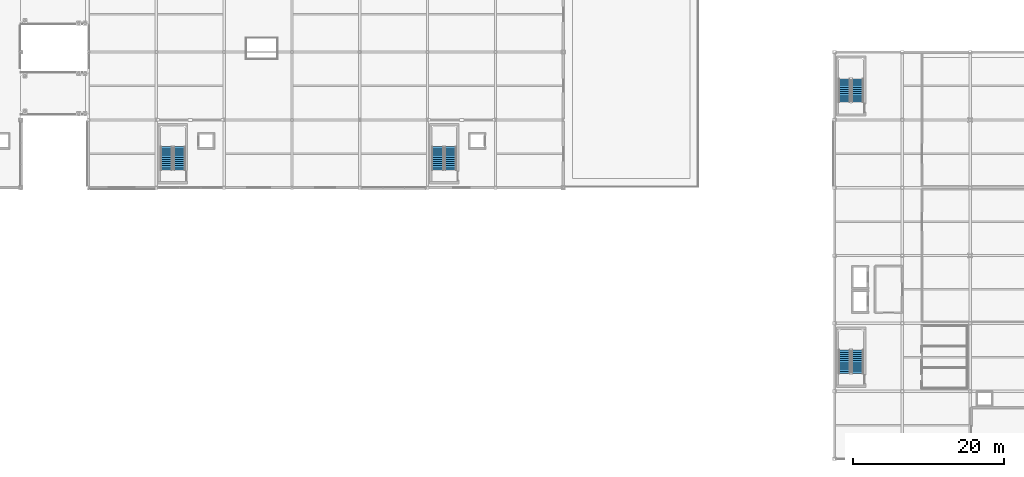
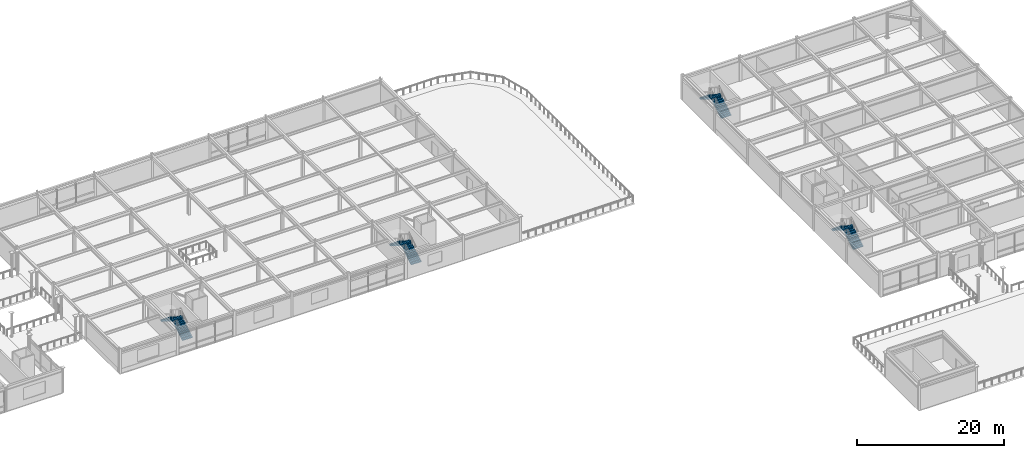
# One storey, part 42 of 53: 8 stair flights, 4 elements without a shape of their own.
"""IFC4 building model written with IfcOpenShell, lengths in metres."""

from ifc_helpers import new_model, si_unit, direction, frame, origin, place, context, subcontext, project, spatial, polyline, outline, extrude, material, type_object, element, aggregate, save


model = new_model("IFC4")

# Units and contexts
model_context = context("Model", 3, precision=1e-05, world=origin(), true_north=direction((0.0, 1.0)))
body_context = subcontext(model_context, "Body", "Model", "MODEL_VIEW")
ifc_project = project(units=[si_unit("LENGTHUNIT", "METRE"), si_unit("AREAUNIT", "SQUARE_METRE"), si_unit("VOLUMEUNIT", "CUBIC_METRE"), si_unit("PLANEANGLEUNIT", "RADIAN"), si_unit("MASSUNIT", "GRAM", prefix="KILO")], contexts=[model_context])

# Site, building, storey
site_placement = place(None, origin())
site = spatial("IfcSite", under=ifc_project, at=site_placement, CompositionType="ELEMENT")
building_placement = place(site_placement, origin())
building = spatial("IfcBuilding", under=site, at=building_placement, Name="Suzunagisa Mobility Hub", CompositionType="ELEMENT")
storey_placement = place(building_placement, frame((0.0, 0.0, 17.699951171875)))
storey = spatial("IfcBuildingStorey", under=building, at=storey_placement, Name="L04", CompositionType="ELEMENT", Elevation=17.699951171875)

# Stair, stair flights
ifc_material = material(Name="Concrete C35/45", Category="concrete")
stair_type_1 = type_object("IfcStairType", Name="Dog-Leg Core Escape Stair ST-07 W1560", PredefinedType="HALF_TURN_STAIR", material=ifc_material)
stair_1_placement = place(storey_placement, origin())
stair_1 = element("IfcStair", 1, at=stair_1_placement, inside=storey, type_object=stair_type_1, Name="L04 Core C3 Escape Stair ST-07", PredefinedType="HALF_TURN_STAIR")
stair_flight_type_1 = type_object("IfcStairFlightType", Name="Dog-Leg Core Stair Flight ST-07-F W1560", PredefinedType="STRAIGHT", material=ifc_material)
stair_flight_1_placement = place(storey_placement, frame((57.06005859375, 82.360107421875, 0.0), z_axis=(0.0, 0.0, 1.0), x_axis=(0.0, 1.0, 0.0)))
stair_flight_1 = element("IfcStairFlight", 2, at=stair_flight_1_placement, type_object=stair_flight_type_1, Name="ST-07 flight 1", NumberOfRisers=12, NumberOfTreads=11, PredefinedType="STRAIGHT", RiserHeight=0.175, TreadLength=0.28, context=body_context, shape_type="SweptSolid", body=[
    extrude(outline(polyline([(0.0, 0.0), (0.0, 0.175048828125), (0.280029296875, 0.175048828125), (0.280029296875, 0.35009765625), (0.56005859375, 0.35009765625), (0.56005859375, 0.52490234375), (0.840087890625, 0.52490234375), (0.840087890625, 0.699951171875), (1.1201171875, 0.699951171875), (1.1201171875, 0.875), (1.39990234375, 0.875), (1.39990234375, 1.050048828125), (1.679931640625, 1.050048828125), (1.679931640625, 1.22509765625), (1.9599609375, 1.22509765625), (1.9599609375, 1.39990234375), (2.239990234375, 1.39990234375), (2.239990234375, 1.574951171875), (2.52001953125, 1.574951171875), (2.52001953125, 1.75), (2.800048828125, 1.75), (2.800048828125, 1.925048828125), (3.080078125, 1.925048828125), (3.080078125, 2.10009765625), (3.080078125, 1.736328125), (0.3017578125, 0.0), (0.0, 0.0)])), frame((0.0, 0.780029296875, 0.0), z_axis=(0.0, -1.0, 0.0), x_axis=(1.0, 0.0, 0.0)), (0.0, 0.0, 1.0), 1.56005859375),
])
stair_flight_2_placement = place(storey_placement, frame((55.340087890625, 85.43994140625, 2.10009765625), z_axis=(0.0, 0.0, 1.0), x_axis=(0.0, -1.0, 0.0)))
stair_flight_2 = element("IfcStairFlight", 3, at=stair_flight_2_placement, type_object=stair_flight_type_1, Name="ST-07 flight 2", NumberOfRisers=12, NumberOfTreads=11, PredefinedType="STRAIGHT", RiserHeight=0.175, TreadLength=0.28, context=body_context, shape_type="SweptSolid", body=[
    extrude(outline(polyline([(0.0, 0.0), (0.0, 0.175048828125), (0.280029296875, 0.175048828125), (0.280029296875, 0.35009765625), (0.56005859375, 0.35009765625), (0.56005859375, 0.52490234375), (0.840087890625, 0.52490234375), (0.840087890625, 0.699951171875), (1.1201171875, 0.699951171875), (1.1201171875, 0.875), (1.39990234375, 0.875), (1.39990234375, 1.050048828125), (1.679931640625, 1.050048828125), (1.679931640625, 1.22509765625), (1.9599609375, 1.22509765625), (1.9599609375, 1.39990234375), (2.239990234375, 1.39990234375), (2.239990234375, 1.574951171875), (2.52001953125, 1.574951171875), (2.52001953125, 1.75), (2.800048828125, 1.75), (2.800048828125, 1.925048828125), (3.080078125, 1.925048828125), (3.080078125, 2.10009765625), (3.080078125, 1.736328125), (0.3017578125, 0.0), (0.0, 0.0)])), frame((0.0, 0.780029296875, 0.0), z_axis=(0.0, -1.0, 0.0), x_axis=(1.0, 0.0, 0.0)), (0.0, 0.0, 1.0), 1.56005859375),
])
aggregate(stair_1, [stair_flight_1, stair_flight_2])

stair_type_2 = type_object("IfcStairType", Name="Dog-Leg Core Escape Stair ST-08 W1560", PredefinedType="HALF_TURN_STAIR", material=ifc_material)
stair_2_placement = place(storey_placement, origin())
stair_2 = element("IfcStair", 4, at=stair_2_placement, inside=storey, type_object=stair_type_2, Name="L04 Core C4 Escape Stair ST-08", PredefinedType="HALF_TURN_STAIR")
stair_flight_type_2 = type_object("IfcStairFlightType", Name="Dog-Leg Core Stair Flight ST-08-F W1560", PredefinedType="STRAIGHT", material=ifc_material)
stair_flight_3_placement = place(storey_placement, frame((93.06005859375, 82.360107421875, 0.0), z_axis=(0.0, 0.0, 1.0), x_axis=(0.0, 1.0, 0.0)))
stair_flight_3 = element("IfcStairFlight", 5, at=stair_flight_3_placement, type_object=stair_flight_type_2, Name="ST-08 flight 1", NumberOfRisers=12, NumberOfTreads=11, PredefinedType="STRAIGHT", RiserHeight=0.175, TreadLength=0.28, context=body_context, shape_type="SweptSolid", body=[
    extrude(outline(polyline([(0.0, 0.0), (0.0, 0.175048828125), (0.280029296875, 0.175048828125), (0.280029296875, 0.35009765625), (0.56005859375, 0.35009765625), (0.56005859375, 0.52490234375), (0.840087890625, 0.52490234375), (0.840087890625, 0.699951171875), (1.1201171875, 0.699951171875), (1.1201171875, 0.875), (1.39990234375, 0.875), (1.39990234375, 1.050048828125), (1.679931640625, 1.050048828125), (1.679931640625, 1.22509765625), (1.9599609375, 1.22509765625), (1.9599609375, 1.39990234375), (2.239990234375, 1.39990234375), (2.239990234375, 1.574951171875), (2.52001953125, 1.574951171875), (2.52001953125, 1.75), (2.800048828125, 1.75), (2.800048828125, 1.925048828125), (3.080078125, 1.925048828125), (3.080078125, 2.10009765625), (3.080078125, 1.736328125), (0.3017578125, 0.0), (0.0, 0.0)])), frame((0.0, 0.780029296875, 0.0), z_axis=(0.0, -1.0, 0.0), x_axis=(1.0, 0.0, 0.0)), (0.0, 0.0, 1.0), 1.56005859375),
])
stair_flight_4_placement = place(storey_placement, frame((91.340087890625, 85.43994140625, 2.10009765625), z_axis=(0.0, 0.0, 1.0), x_axis=(0.0, -1.0, 0.0)))
stair_flight_4 = element("IfcStairFlight", 6, at=stair_flight_4_placement, type_object=stair_flight_type_2, Name="ST-08 flight 2", NumberOfRisers=12, NumberOfTreads=11, PredefinedType="STRAIGHT", RiserHeight=0.175, TreadLength=0.28, context=body_context, shape_type="SweptSolid", body=[
    extrude(outline(polyline([(0.0, 0.0), (0.0, 0.175048828125), (0.280029296875, 0.175048828125), (0.280029296875, 0.35009765625), (0.56005859375, 0.35009765625), (0.56005859375, 0.52490234375), (0.840087890625, 0.52490234375), (0.840087890625, 0.699951171875), (1.1201171875, 0.699951171875), (1.1201171875, 0.875), (1.39990234375, 0.875), (1.39990234375, 1.050048828125), (1.679931640625, 1.050048828125), (1.679931640625, 1.22509765625), (1.9599609375, 1.22509765625), (1.9599609375, 1.39990234375), (2.239990234375, 1.39990234375), (2.239990234375, 1.574951171875), (2.52001953125, 1.574951171875), (2.52001953125, 1.75), (2.800048828125, 1.75), (2.800048828125, 1.925048828125), (3.080078125, 1.925048828125), (3.080078125, 2.10009765625), (3.080078125, 1.736328125), (0.3017578125, 0.0), (0.0, 0.0)])), frame((0.0, 0.780029296875, 0.0), z_axis=(0.0, -1.0, 0.0), x_axis=(1.0, 0.0, 0.0)), (0.0, 0.0, 1.0), 1.56005859375),
])
aggregate(stair_2, [stair_flight_3, stair_flight_4])

stair_type_3 = type_object("IfcStairType", Name="Dog-Leg Core Escape Stair ST-11 W1560", PredefinedType="HALF_TURN_STAIR", material=ifc_material)
stair_3_placement = place(storey_placement, origin())
stair_3 = element("IfcStair", 7, at=stair_3_placement, inside=storey, type_object=stair_type_3, Name="L04 Core C5 Escape Stair ST-11", PredefinedType="HALF_TURN_STAIR")
stair_flight_type_3 = type_object("IfcStairFlightType", Name="Dog-Leg Core Stair Flight ST-11-F W1560", PredefinedType="STRAIGHT", material=ifc_material)
stair_flight_5_placement = place(storey_placement, frame((147.06005859375, 55.360107421875, 0.0), z_axis=(0.0, 0.0, 1.0), x_axis=(0.0, 1.0, 0.0)))
stair_flight_5 = element("IfcStairFlight", 8, at=stair_flight_5_placement, type_object=stair_flight_type_3, Name="ST-11 flight 1", NumberOfRisers=12, NumberOfTreads=11, PredefinedType="STRAIGHT", RiserHeight=0.175, TreadLength=0.28, context=body_context, shape_type="SweptSolid", body=[
    extrude(outline(polyline([(0.0, 0.0), (0.0, 0.175048828125), (0.280029296875, 0.175048828125), (0.280029296875, 0.35009765625), (0.56005859375, 0.35009765625), (0.56005859375, 0.52490234375), (0.840087890625, 0.52490234375), (0.840087890625, 0.699951171875), (1.1201171875, 0.699951171875), (1.1201171875, 0.875), (1.39990234375, 0.875), (1.39990234375, 1.050048828125), (1.679931640625, 1.050048828125), (1.679931640625, 1.22509765625), (1.9599609375, 1.22509765625), (1.9599609375, 1.39990234375), (2.239990234375, 1.39990234375), (2.239990234375, 1.574951171875), (2.52001953125, 1.574951171875), (2.52001953125, 1.75), (2.800048828125, 1.75), (2.800048828125, 1.925048828125), (3.080078125, 1.925048828125), (3.080078125, 2.10009765625), (3.080078125, 1.736328125), (0.3017578125, 0.0), (0.0, 0.0)])), frame((0.0, 0.780029296875, 0.0), z_axis=(0.0, -1.0, 0.0), x_axis=(1.0, 0.0, 0.0)), (0.0, 0.0, 1.0), 1.56005859375),
])
stair_flight_6_placement = place(storey_placement, frame((145.340087890625, 58.43994140625, 2.10009765625), z_axis=(0.0, 0.0, 1.0), x_axis=(0.0, -1.0, 0.0)))
stair_flight_6 = element("IfcStairFlight", 9, at=stair_flight_6_placement, type_object=stair_flight_type_3, Name="ST-11 flight 2", NumberOfRisers=12, NumberOfTreads=11, PredefinedType="STRAIGHT", RiserHeight=0.175, TreadLength=0.28, context=body_context, shape_type="SweptSolid", body=[
    extrude(outline(polyline([(0.0, 0.0), (0.0, 0.175048828125), (0.280029296875, 0.175048828125), (0.280029296875, 0.35009765625), (0.56005859375, 0.35009765625), (0.56005859375, 0.52490234375), (0.840087890625, 0.52490234375), (0.840087890625, 0.699951171875), (1.1201171875, 0.699951171875), (1.1201171875, 0.875), (1.39990234375, 0.875), (1.39990234375, 1.050048828125), (1.679931640625, 1.050048828125), (1.679931640625, 1.22509765625), (1.9599609375, 1.22509765625), (1.9599609375, 1.39990234375), (2.239990234375, 1.39990234375), (2.239990234375, 1.574951171875), (2.52001953125, 1.574951171875), (2.52001953125, 1.75), (2.800048828125, 1.75), (2.800048828125, 1.925048828125), (3.080078125, 1.925048828125), (3.080078125, 2.10009765625), (3.080078125, 1.736328125), (0.3017578125, 0.0), (0.0, 0.0)])), frame((0.0, 0.780029296875, 0.0), z_axis=(0.0, -1.0, 0.0), x_axis=(1.0, 0.0, 0.0)), (0.0, 0.0, 1.0), 1.56005859375),
])
aggregate(stair_3, [stair_flight_5, stair_flight_6])

stair_type_4 = type_object("IfcStairType", Name="Dog-Leg Core Escape Stair ST-12 W1560", PredefinedType="HALF_TURN_STAIR", material=ifc_material)
stair_4_placement = place(storey_placement, origin())
stair_4 = element("IfcStair", 10, at=stair_4_placement, inside=storey, type_object=stair_type_4, Name="L04 Core C5B Escape Stair ST-12", PredefinedType="HALF_TURN_STAIR")
stair_flight_type_4 = type_object("IfcStairFlightType", Name="Dog-Leg Core Stair Flight ST-12-F W1560", PredefinedType="STRAIGHT", material=ifc_material)
stair_flight_7_placement = place(storey_placement, frame((147.06005859375, 91.360107421875, 0.0), z_axis=(0.0, 0.0, 1.0), x_axis=(0.0, 1.0, 0.0)))
stair_flight_7 = element("IfcStairFlight", 11, at=stair_flight_7_placement, type_object=stair_flight_type_4, Name="ST-12 flight 1", NumberOfRisers=12, NumberOfTreads=11, PredefinedType="STRAIGHT", RiserHeight=0.175, TreadLength=0.28, context=body_context, shape_type="SweptSolid", body=[
    extrude(outline(polyline([(0.0, 0.0), (0.0, 0.175048828125), (0.280029296875, 0.175048828125), (0.280029296875, 0.35009765625), (0.56005859375, 0.35009765625), (0.56005859375, 0.52490234375), (0.840087890625, 0.52490234375), (0.840087890625, 0.699951171875), (1.1201171875, 0.699951171875), (1.1201171875, 0.875), (1.39990234375, 0.875), (1.39990234375, 1.050048828125), (1.679931640625, 1.050048828125), (1.679931640625, 1.22509765625), (1.9599609375, 1.22509765625), (1.9599609375, 1.39990234375), (2.239990234375, 1.39990234375), (2.239990234375, 1.574951171875), (2.52001953125, 1.574951171875), (2.52001953125, 1.75), (2.800048828125, 1.75), (2.800048828125, 1.925048828125), (3.080078125, 1.925048828125), (3.080078125, 2.10009765625), (3.080078125, 1.736328125), (0.3017578125, 0.0), (0.0, 0.0)])), frame((0.0, 0.780029296875, 0.0), z_axis=(0.0, -1.0, 0.0), x_axis=(1.0, 0.0, 0.0)), (0.0, 0.0, 1.0), 1.56005859375),
])
stair_flight_8_placement = place(storey_placement, frame((145.340087890625, 94.43994140625, 2.10009765625), z_axis=(0.0, 0.0, 1.0), x_axis=(0.0, -1.0, 0.0)))
stair_flight_8 = element("IfcStairFlight", 12, at=stair_flight_8_placement, type_object=stair_flight_type_4, Name="ST-12 flight 2", NumberOfRisers=12, NumberOfTreads=11, PredefinedType="STRAIGHT", RiserHeight=0.175, TreadLength=0.28, context=body_context, shape_type="SweptSolid", body=[
    extrude(outline(polyline([(0.0, 0.0), (0.0, 0.175048828125), (0.280029296875, 0.175048828125), (0.280029296875, 0.35009765625), (0.56005859375, 0.35009765625), (0.56005859375, 0.52490234375), (0.840087890625, 0.52490234375), (0.840087890625, 0.699951171875), (1.1201171875, 0.699951171875), (1.1201171875, 0.875), (1.39990234375, 0.875), (1.39990234375, 1.050048828125), (1.679931640625, 1.050048828125), (1.679931640625, 1.22509765625), (1.9599609375, 1.22509765625), (1.9599609375, 1.39990234375), (2.239990234375, 1.39990234375), (2.239990234375, 1.574951171875), (2.52001953125, 1.574951171875), (2.52001953125, 1.75), (2.800048828125, 1.75), (2.800048828125, 1.925048828125), (3.080078125, 1.925048828125), (3.080078125, 2.10009765625), (3.080078125, 1.736328125), (0.3017578125, 0.0), (0.0, 0.0)])), frame((0.0, 0.780029296875, 0.0), z_axis=(0.0, -1.0, 0.0), x_axis=(1.0, 0.0, 0.0)), (0.0, 0.0, 1.0), 1.56005859375),
])
aggregate(stair_4, [stair_flight_7, stair_flight_8])

save(model, "model.ifc")
